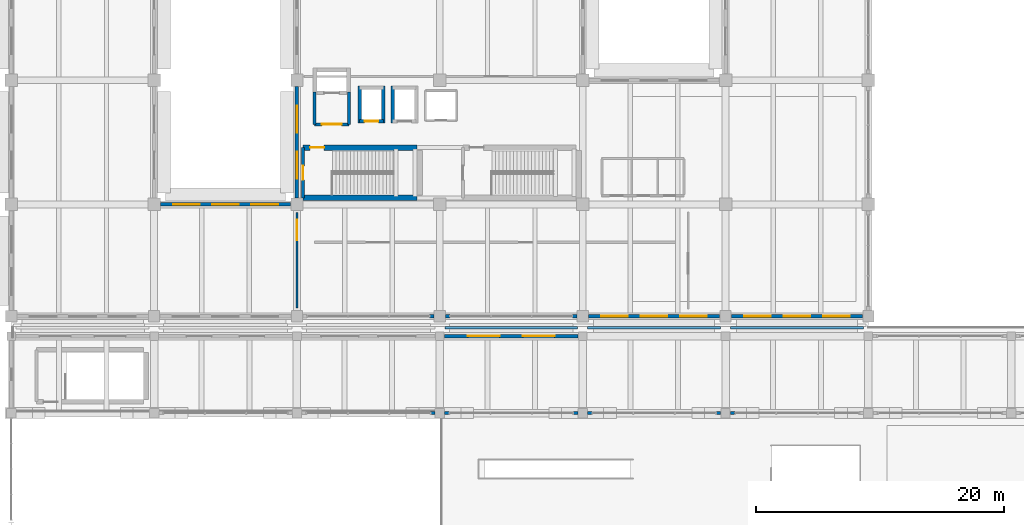
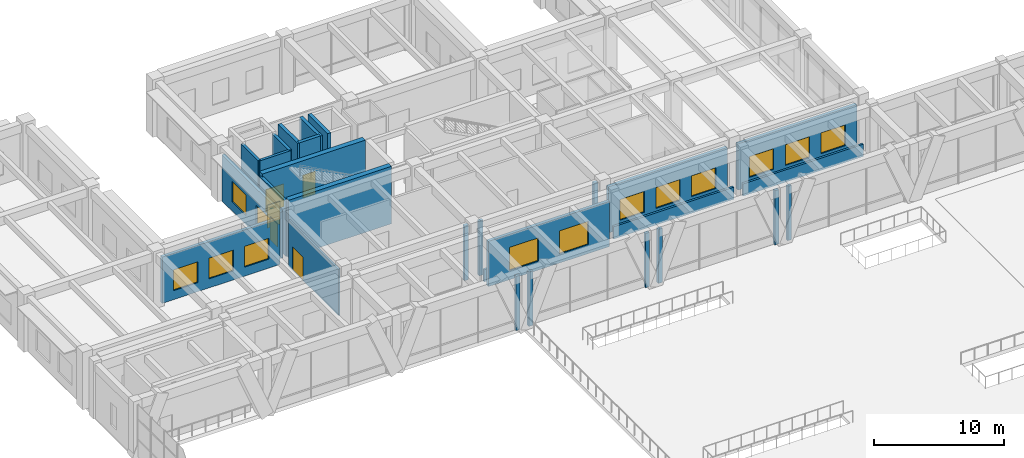
# One storey, part 127 of 148: 28 walls, 13 windows, 5 doors, 18 openings.
"""IFC4 building model written with IfcOpenShell, lengths in metres."""

import ifcopenshell
import ifcopenshell.guid

model = None  # the IFC model being written
_history = None  # IfcOwnerHistory: only IFC2X3 demands one
_inside = {}  # id of a spatial element -> (the spatial element, [elements in it])
_under = {}  # id of a project, library or spatial element -> (it, [spatial elements below it])
_declared = {}  # id of a project -> (the project, [libraries it declares])
_typed = {}  # id of a type object -> (the type object, [elements of that type])
_made_of = {}  # id of a material, layer set ... -> (it, [elements and type objects made of it])


def new_model(schema):
    """Start an empty IFC model of exactly this schema.

    Asked for "IFC4X3", IfcOpenShell would pick the latest addendum, in which some entities
    have other attributes; the version numbers below select the first issue.
    IFC2X3 requires an IfcOwnerHistory on every rooted entity: one is made here for all.
    """
    global model, _history
    if schema == "IFC4X3":
        model = ifcopenshell.file(schema_version=(4, 3, 0, 0))
    else:
        model = ifcopenshell.file(schema=schema)
    _inside.clear()
    _under.clear()
    _declared.clear()
    _typed.clear()
    _made_of.clear()
    _history = None
    if model.schema == "IFC2X3":
        org = make("IfcOrganization", Name="unknown")
        user = make(
            "IfcPersonAndOrganization",
            ThePerson=make("IfcPerson", FamilyName="unknown"),
            TheOrganization=org,
        )
        app = make(
            "IfcApplication",
            ApplicationDeveloper=org,
            Version="unknown",
            ApplicationFullName="unknown",
            ApplicationIdentifier="unknown",
        )
        _history = make(
            "IfcOwnerHistory",
            OwningUser=user,
            OwningApplication=app,
            ChangeAction="ADDED",
            CreationDate=0,
        )
    return model


def make(cls, **values):
    """One entity of the class cls with the attributes given. An attribute that is None is left unset."""
    return model.create_entity(
        cls, **{name: value for name, value in values.items() if value is not None}
    )


def rooted(cls, **values):
    """An entity with a GlobalId (a new one), such as an element, a storey or a relation."""
    return make(cls, GlobalId=ifcopenshell.guid.new(), OwnerHistory=_history, **values)


def si_unit(unit_type, name, prefix=None):
    """IfcSIUnit, for example si_unit("LENGTHUNIT", "METRE", prefix="MILLI")."""
    return make("IfcSIUnit", UnitType=unit_type, Prefix=prefix, Name=name)


def assignment(units):
    """IfcUnitAssignment: the units of a project."""
    return None if units is None else make("IfcUnitAssignment", Units=units)


def point(xyz):
    """IfcCartesianPoint."""
    return None if xyz is None else make("IfcCartesianPoint", Coordinates=xyz)


def direction(xyz):
    """IfcDirection."""
    return None if xyz is None else make("IfcDirection", DirectionRatios=xyz)


def frame(location, z_axis=None, x_axis=None):
    """IfcAxis2Placement3D, a coordinate frame: its origin and axes. An axis left out is left unset."""
    return make(
        "IfcAxis2Placement3D",
        Location=point(location),
        Axis=direction(z_axis),
        RefDirection=direction(x_axis),
    )


def frame_2d(location, x_axis=None):
    """IfcAxis2Placement2D, a coordinate frame in the plane: its origin and x axis."""
    return make(
        "IfcAxis2Placement2D", Location=point(location), RefDirection=direction(x_axis)
    )


def origin():
    """The frame at (0, 0, 0) with its axes left unset."""
    return frame((0.0, 0.0, 0.0))


def place(relative_to, where):
    """IfcLocalPlacement: puts the frame where relative to a parent placement (None: the world)."""
    return make(
        "IfcLocalPlacement", PlacementRelTo=relative_to, RelativePlacement=where
    )


def context(
    kind, dimensions, precision=None, world=None, true_north=None, identifier=None
):
    """IfcGeometricRepresentationContext, for example the 3D "Model" context."""
    return make(
        "IfcGeometricRepresentationContext",
        ContextIdentifier=identifier,
        ContextType=kind,
        CoordinateSpaceDimension=dimensions,
        Precision=precision,
        WorldCoordinateSystem=world,
        TrueNorth=true_north,
    )


def subcontext(parent, identifier, kind, view, scale=None):
    """IfcGeometricRepresentationSubContext, for example "Body" below "Model"."""
    return make(
        "IfcGeometricRepresentationSubContext",
        ContextIdentifier=identifier,
        ContextType=kind,
        ParentContext=parent,
        TargetScale=scale,
        TargetView=view,
    )


def project(units=None, contexts=None):
    """IfcProject with its units and contexts."""
    return rooted(
        "IfcProject",
        Name="project",
        RepresentationContexts=contexts,
        UnitsInContext=assignment(units),
    )


def spatial(cls, under=None, at=None, **own):
    """A site, building, storey or space (cls), placed at a placement, below another one or the project."""
    s = rooted(cls, ObjectPlacement=at, **own)
    if under is not None:
        _under.setdefault(under.id(), (under, []))[1].append(s)
    return s


def profile(cls, at=None, kind="AREA", **sizes):
    """A parametric profile (cls). Its sizes go by their IFC names, for example OverallWidth=200.0."""
    return make(cls, ProfileType=kind, Position=at, **sizes)


def rectangle(**sizes):
    """IfcRectangleProfileDef."""
    return profile("IfcRectangleProfileDef", **sizes)


def extrude(swept, where, along, depth):
    """IfcExtrudedAreaSolid: the profile swept, set in the frame where, extruded along a direction by depth."""
    return make(
        "IfcExtrudedAreaSolid",
        SweptArea=swept,
        Position=where,
        ExtrudedDirection=direction(along),
        Depth=depth,
    )


def shape(context_of_items, identifier, shape_type, items):
    """IfcShapeRepresentation: the items that make up one representation, for example the "Body"."""
    return make(
        "IfcShapeRepresentation",
        ContextOfItems=context_of_items,
        RepresentationIdentifier=identifier,
        RepresentationType=shape_type,
        Items=items,
    )


def material(Name=None, Category=None):
    """IfcMaterial."""
    return make("IfcMaterial", Name=Name, Category=Category)


def layer(
    of_material, thickness, ventilated=None, Name=None, Category=None, Priority=None
):
    """IfcMaterialLayer: one layer of a wall or slab, of a material (None: an air gap)."""
    return make(
        "IfcMaterialLayer",
        Material=of_material,
        LayerThickness=thickness,
        IsVentilated=ventilated,
        Name=Name,
        Category=Category,
        Priority=Priority,
    )


def layer_set(layers, Name=None):
    """IfcMaterialLayerSet."""
    return make("IfcMaterialLayerSet", MaterialLayers=layers, LayerSetName=Name)


def made_of(thing, what):
    """Note that an element or type object is made of a material, layer set ...; save() writes the relation."""
    if what is not None:
        _made_of.setdefault(what.id(), (what, []))[1].append(thing)
    return thing


def type_object(cls, material=None, **own):
    """A type object (cls), such as IfcWallType, which elements share."""
    return made_of(rooted(cls, **own), material)


def element(
    cls,
    number,
    at=None,
    inside=None,
    cuts=None,
    type_object=None,
    material=None,
    context=None,
    identifier="Body",
    shape_type=None,
    held_by="IfcProductDefinitionShape",
    body=None,
    shapes=None,
    **own,
):
    """One element of the class cls, such as IfcWall. Its Tag is "e" and its number.

    at: its placement. inside: the storey or other place that contains it. cuts: it is an
    opening in that element (IfcRelVoidsElement). A single representation is given by context,
    identifier, shape_type and body (its items); several are given by shapes. held_by: the class
    of the entity that holds the representations. save() writes the other relations.
    """
    e = rooted(cls, Tag="e%d" % number, ObjectPlacement=at, **own)
    if body is not None:
        shapes = [shape(context, identifier, shape_type, body)]
    if shapes is not None:
        e.Representation = make(held_by, Representations=shapes)
    if inside is not None:
        _inside.setdefault(inside.id(), (inside, []))[1].append(e)
    if cuts is not None:
        rooted(
            "IfcRelVoidsElement", RelatingBuildingElement=cuts, RelatedOpeningElement=e
        )
    if type_object is not None:
        _typed.setdefault(type_object.id(), (type_object, []))[1].append(e)
    return made_of(e, material)


def fill(opening, filler):
    """IfcRelFillsElement: the door or window that sits in an opening."""
    return rooted(
        "IfcRelFillsElement",
        RelatingOpeningElement=opening,
        RelatedBuildingElement=filler,
    )


def aggregate(whole, parts):
    """IfcRelAggregates: a whole, such as a stair, and the parts it consists of."""
    return rooted("IfcRelAggregates", RelatingObject=whole, RelatedObjects=parts)


def save(model, path):
    """Write the relations noted so far, then the file.

    IfcRelAggregates (storeys below a building ...), IfcRelContainedInSpatialStructure (elements
    in a storey), IfcRelDefinesByType, IfcRelAssociatesMaterial and IfcRelDeclares: one each for
    every whole, place, type object, material and project.
    """
    for whole, parts in _under.values():
        aggregate(whole, parts)
    for where, things in _inside.values():
        rooted(
            "IfcRelContainedInSpatialStructure",
            RelatedElements=things,
            RelatingStructure=where,
        )
    for kind, things in _typed.values():
        rooted("IfcRelDefinesByType", RelatedObjects=things, RelatingType=kind)
    for what, things in _made_of.values():
        rooted("IfcRelAssociatesMaterial", RelatedObjects=things, RelatingMaterial=what)
    for by, libraries in _declared.values():
        rooted("IfcRelDeclares", RelatingContext=by, RelatedDefinitions=libraries)
    model.write(path)


model = new_model("IFC4")

# Units and contexts
model_context = context("Model", 3, precision=1e-05, world=origin(), true_north=direction((0.0, 1.0)))
body_context = subcontext(model_context, "Body", "Model", "MODEL_VIEW")
ifc_project = project(units=[si_unit("LENGTHUNIT", "METRE"), si_unit("AREAUNIT", "SQUARE_METRE"), si_unit("VOLUMEUNIT", "CUBIC_METRE"), si_unit("PLANEANGLEUNIT", "RADIAN"), si_unit("MASSUNIT", "GRAM", prefix="KILO")], contexts=[model_context])

# Site, building, storey
site_placement = place(None, origin())
site = spatial("IfcSite", under=ifc_project, at=site_placement, CompositionType="ELEMENT")
building_placement = place(site_placement, origin())
building = spatial("IfcBuilding", under=site, at=building_placement, Name="Ologun Quay Terminus", CompositionType="ELEMENT")
storey_placement = place(building_placement, frame((0.0, 0.0, 8.39990234375)))
storey = spatial("IfcBuildingStorey", under=building, at=storey_placement, Name="L02", CompositionType="ELEMENT", Elevation=8.39990234375)

# Wall, opening, door
ifc_material_1 = material(Name="Gypsum Acoustic Stud")
ifc_layer_1 = layer(ifc_material_1, 0.14990234375)
ifc_layer_set_1 = layer_set([ifc_layer_1], Name="Gypsum Acoustic Stud")
wall_type_1 = type_object("IfcWallType", Name="Community & Reading Room Partition 150", PredefinedType="PARTITIONING", material=ifc_layer_set_1)
wall_1_placement = place(storey_placement, frame((23.0, 86.449951171875, 0.0), z_axis=(0.0, 0.0, 1.0), x_axis=(0.0, 1.0, 0.0)))
wall_1 = element("IfcWall", 1, at=wall_1_placement, inside=storey, type_object=wall_type_1, Name="PW-05 Partition L02-WorkshopRoom-E", PredefinedType="PARTITIONING", context=body_context, shape_type="SweptSolid", body=[
    extrude(rectangle(XDim=7.699951171875, YDim=0.14990234375, at=frame_2d((3.85009765625, 0.0))), origin(), (0.0, 0.0, 1.0), 4.35009765625),
])
opening_1_placement = place(wall_1_placement, frame((5.449951171875, 0.0, 0.0)))
opening_1 = element("IfcOpeningElement", 2, at=opening_1_placement, cuts=wall_1, Name="Opening ID-317", PredefinedType="OPENING", context=body_context, shape_type="SweptSolid", body=[
    extrude(rectangle(XDim=1.64990234375, YDim=2.199951171875, at=frame_2d((0.824951171875, 1.10009765625))), frame((0.0, 0.0849609375, 0.0), z_axis=(0.0, -1.0, 0.0), x_axis=(1.0, 0.0, 0.0)), (0.0, 0.0, 1.0), 0.169921875),
])
ifc_material_2 = material(Name="Timber Hardwood", Category="wood")
door_type_1 = type_object("IfcDoorType", Name="Community Meeting Double Door 1650x2200", OperationType="DOUBLE_DOOR_SINGLE_SWING", PredefinedType="DOOR", material=ifc_material_2)
door_1_placement = place(opening_1_placement, origin())
door_1 = element("IfcDoor", 3, at=door_1_placement, inside=storey, type_object=door_type_1, Name="ID-03 Door ID-317", OperationType="DOUBLE_DOOR_SINGLE_SWING", OverallHeight=2.199951171875, OverallWidth=1.64990234375, PredefinedType="DOOR", context=body_context, shape_type="SweptSolid", body=[
    extrude(rectangle(XDim=1.64990234375, YDim=2.199951171875, at=frame_2d((0.824951171875, 1.10009765625))), frame((0.0, 0.02490234375, 0.0), z_axis=(0.0, -1.0, 0.0), x_axis=(1.0, 0.0, 0.0)), (0.0, 0.0, 1.0), 0.050048828125),
])
fill(opening_1, door_1)

# Wall
ifc_material_3 = material(Name="Concrete C45/55", Category="concrete")
ifc_layer_2 = layer(ifc_material_3, 0.449951171875)
ifc_layer_set_2 = layer_set([ifc_layer_2], Name="Concrete C45/55")
wall_type_2 = type_object("IfcWallType", Name="Coupled Wing Primary Core Shear Wall 450", PredefinedType="SHEAR", material=ifc_layer_set_2)
wall_2_placement = place(storey_placement, frame((23.5, 95.324951171875, 0.0), z_axis=(0.0, 0.0, 1.0), x_axis=(1.0, 0.0, 0.0)))
element("IfcWall", 4, at=wall_2_placement, inside=storey, type_object=wall_type_2, Name="WC1 Core South Shear Wall L02", PredefinedType="SHEAR", context=body_context, shape_type="SweptSolid", body=[
    extrude(rectangle(XDim=9.14990234375, YDim=0.449951171875, at=frame_2d((4.574951171875, 0.0))), origin(), (0.0, 0.0, 1.0), 5.400146484375),
])

# Wall, opening, door
wall_3_placement = place(storey_placement, frame((23.5, 99.375, 0.0), z_axis=(0.0, 0.0, 1.0), x_axis=(1.0, 0.0, 0.0)))
wall_3 = element("IfcWall", 5, at=wall_3_placement, inside=storey, type_object=wall_type_2, Name="WC1 Core North Shear Wall L02", PredefinedType="SHEAR", context=body_context, shape_type="SweptSolid", body=[
    extrude(rectangle(XDim=9.14990234375, YDim=0.449951171875, at=frame_2d((4.574951171875, 0.0))), origin(), (0.0, 0.0, 1.0), 5.400146484375),
])
opening_2_placement = place(wall_3_placement, frame((0.550048828125, 0.0, 0.0)))
opening_2 = element("IfcOpeningElement", 6, at=opening_2_placement, cuts=wall_3, Name="Opening ID-111", PredefinedType="OPENING", context=body_context, shape_type="SweptSolid", body=[
    extrude(rectangle(XDim=1.1298828125, YDim=2.14990234375, at=frame_2d((0.56494140625, 1.074951171875))), frame((0.0, 0.23486328125, 0.0), z_axis=(0.0, -1.0, 0.0), x_axis=(1.0, 0.0, 0.0)), (0.0, 0.0, 1.0), 0.469970703125),
])
ifc_material_4 = material(Name="Steel S355", Category="steel")
door_type_2 = type_object("IfcDoorType", Name="Stairwell Fire Escape Door 1130x2150", OperationType="SINGLE_SWING_LEFT", PredefinedType="DOOR", material=ifc_material_4)
door_2_placement = place(opening_2_placement, frame((0.56494140625, 0.0, 0.0), z_axis=(0.0, 0.0, 1.0), x_axis=(-1.0, 0.0, 0.0)))
door_2 = element("IfcDoor", 7, at=door_2_placement, inside=storey, type_object=door_type_2, Name="FD-01 Door ID-111", OperationType="SINGLE_SWING_LEFT", OverallHeight=2.14990234375, OverallWidth=1.1298828125, PredefinedType="DOOR", context=body_context, shape_type="SweptSolid", body=[
    extrude(rectangle(XDim=1.1298828125, YDim=2.14990234375, at=frame_2d((0.0, 1.074951171875))), frame((0.0, 0.02490234375, 0.0), z_axis=(0.0, -1.0, 0.0), x_axis=(1.0, 0.0, 0.0)), (0.0, 0.0, 1.0), 0.050048828125),
])
fill(opening_2, door_2)

# Wall, openings, windows
ifc_material_5 = material(Name="Concrete C40/50", Category="concrete")
ifc_layer_3 = layer(ifc_material_5, 0.280029296875)
ifc_layer_set_3 = layer_set([ifc_layer_3], Name="Concrete C40/50")
wall_type_3 = type_object("IfcWallType", Name="Courtyard Wing Spandrel Concrete Wall 280", PredefinedType="SOLIDWALL", material=ifc_layer_set_3)
wall_4_placement = place(storey_placement, frame((34.8701171875, 84.199951171875, 0.0), z_axis=(0.0, 0.0, 1.0), x_axis=(1.0, 0.0, 0.0)))
wall_4 = element("IfcWall", 8, at=wall_4_placement, inside=storey, type_object=wall_type_3, Name="EW-02 Facade Wall WEW-NGW-L02-04", PredefinedType="SOLIDWALL", context=body_context, shape_type="SweptSolid", body=[
    extrude(rectangle(XDim=10.759765625, YDim=0.280029296875, at=frame_2d((5.3798828125, 0.0))), origin(), (0.0, 0.0, 1.0), 4.25),
])
opening_3_placement = place(wall_4_placement, frame((1.8798828125, 0.0, 0.85009765625)))
opening_3 = element("IfcOpeningElement", 9, at=opening_3_placement, cuts=wall_4, Name="Opening WN-130", PredefinedType="OPENING", context=body_context, shape_type="SweptSolid", body=[
    extrude(rectangle(XDim=2.56005859375, YDim=2.179931640625, at=frame_2d((1.280029296875, 1.08984375))), frame((0.0, 0.14990234375, 0.0), z_axis=(0.0, -1.0, 0.0), x_axis=(1.0, 0.0, 0.0)), (0.0, 0.0, 1.0), 0.300048828125),
])
opening_4_placement = place(wall_4_placement, frame((6.320068359375, 0.0, 0.85009765625)))
opening_4 = element("IfcOpeningElement", 10, at=opening_4_placement, cuts=wall_4, Name="Opening WN-131", PredefinedType="OPENING", context=body_context, shape_type="SweptSolid", body=[
    extrude(rectangle(XDim=2.56005859375, YDim=2.179931640625, at=frame_2d((1.280029296875, 1.08984375))), frame((0.0, 0.14990234375, 0.0), z_axis=(0.0, -1.0, 0.0), x_axis=(1.0, 0.0, 0.0)), (0.0, 0.0, 1.0), 0.300048828125),
])
ifc_material_6 = material(Name="Glass", Category="glass")
window_type_1 = type_object("IfcWindowType", Name="Concourse Gallery Panorama 2560x2180", PartitioningType="SINGLE_PANEL", PredefinedType="WINDOW", material=ifc_material_6)
window_1_placement = place(opening_3_placement, origin())
window_1 = element("IfcWindow", 11, at=window_1_placement, inside=storey, type_object=window_type_1, Name="W-42 Window WN-130", OverallHeight=2.179931640625, OverallWidth=2.56005859375, PartitioningType="SINGLE_PANEL", PredefinedType="WINDOW", context=body_context, shape_type="SweptSolid", body=[
    extrude(rectangle(XDim=2.56005859375, YDim=2.179931640625, at=frame_2d((1.280029296875, 1.08984375))), frame((0.0, 0.030029296875, 0.0), z_axis=(0.0, -1.0, 0.0), x_axis=(1.0, 0.0, 0.0)), (0.0, 0.0, 1.0), 0.06005859375),
])
fill(opening_3, window_1)
window_2_placement = place(opening_4_placement, origin())
window_2 = element("IfcWindow", 12, at=window_2_placement, inside=storey, type_object=window_type_1, Name="W-42 Window WN-131", OverallHeight=2.179931640625, OverallWidth=2.56005859375, PartitioningType="SINGLE_PANEL", PredefinedType="WINDOW", context=body_context, shape_type="SweptSolid", body=[
    extrude(rectangle(XDim=2.56005859375, YDim=2.179931640625, at=frame_2d((1.280029296875, 1.08984375))), frame((0.0, 0.030029296875, 0.0), z_axis=(0.0, -1.0, 0.0), x_axis=(1.0, 0.0, 0.0)), (0.0, 0.0, 1.0), 0.06005859375),
])
fill(opening_4, window_2)

# Walls
for number, where, z_axis, x_axis, name in (
    (13, (33.679931640625, 85.800048828125, 0.0), (0.0, 0.0, 1.0), (1.0, 0.0, 0.0), "Curtain Wall Jamb Pier CW-L02-103-J2"),
    (14, (34.969970703125, 85.800048828125, 0.0), (0.0, 0.0, 1.0), (1.0, 0.0, 0.0), "Curtain Wall Jamb Pier CW-L02-104-J1"),
    (15, (45.179931640625, 85.800048828125, 0.0), (0.0, 0.0, 1.0), (1.0, 0.0, 0.0), "Curtain Wall Jamb Pier CW-L02-104-J2"),
):
    element("IfcWall", number, at=place(storey_placement, frame(where, z_axis=z_axis, x_axis=x_axis)), inside=storey, type_object=wall_type_3, Name=name, PredefinedType="SOLIDWALL", context=body_context, shape_type="SweptSolid", body=[
        extrude(rectangle(XDim=0.35009765625, YDim=0.280029296875, at=frame_2d((0.175048828125, 0.0))), origin(), (0.0, 0.0, 1.0), 5.130126953125),
    ])

# Wall, openings, windows
wall_5_placement = place(storey_placement, frame((46.469970703125, 85.800048828125, 0.0), z_axis=(0.0, 0.0, 1.0), x_axis=(1.0, 0.0, 0.0)))
wall_5 = element("IfcWall", 16, at=wall_5_placement, inside=storey, type_object=wall_type_3, Name="EW-02 Facade Wall WEW-WW-O-L02-5", PredefinedType="SOLIDWALL", context=body_context, shape_type="SweptSolid", body=[
    extrude(rectangle(XDim=10.56005859375, YDim=0.280029296875, at=frame_2d((5.280029296875, 0.0))), origin(), (0.0, 0.0, 1.0), 4.35009765625),
])
opening_5_placement = place(wall_5_placement, frame((1.027587890625, 0.0, 0.85009765625)))
opening_5 = element("IfcOpeningElement", 17, at=opening_5_placement, cuts=wall_5, Name="Opening WN-247", PredefinedType="OPENING", context=body_context, shape_type="SweptSolid", body=[
    extrude(rectangle(XDim=2.14990234375, YDim=1.949951171875, at=frame_2d((1.074951171875, 0.97509765625))), frame((0.0, 0.14990234375, 0.0), z_axis=(0.0, -1.0, 0.0), x_axis=(1.0, 0.0, 0.0)), (0.0, 0.0, 1.0), 0.300048828125),
])
opening_6_placement = place(wall_5_placement, frame((4.205078125, 0.0, 0.85009765625)))
opening_6 = element("IfcOpeningElement", 18, at=opening_6_placement, cuts=wall_5, Name="Opening WN-248", PredefinedType="OPENING", context=body_context, shape_type="SweptSolid", body=[
    extrude(rectangle(XDim=2.14990234375, YDim=1.949951171875, at=frame_2d((1.074951171875, 0.97509765625))), frame((0.0, 0.14990234375, 0.0), z_axis=(0.0, -1.0, 0.0), x_axis=(1.0, 0.0, 0.0)), (0.0, 0.0, 1.0), 0.300048828125),
])
opening_7_placement = place(wall_5_placement, frame((7.382568359375, 0.0, 0.85009765625)))
opening_7 = element("IfcOpeningElement", 19, at=opening_7_placement, cuts=wall_5, Name="Opening WN-249", PredefinedType="OPENING", context=body_context, shape_type="SweptSolid", body=[
    extrude(rectangle(XDim=2.14990234375, YDim=1.949951171875, at=frame_2d((1.074951171875, 0.97509765625))), frame((0.0, 0.14990234375, 0.0), z_axis=(0.0, -1.0, 0.0), x_axis=(1.0, 0.0, 0.0)), (0.0, 0.0, 1.0), 0.300048828125),
])
ifc_material_7 = material(Name="Glass", Category="glass")
window_type_2 = type_object("IfcWindowType", Name="Courtyard Loggia Window 2150x1950", PartitioningType="SINGLE_PANEL", PredefinedType="WINDOW", material=ifc_material_7)
window_3_placement = place(opening_5_placement, origin())
window_3 = element("IfcWindow", 20, at=window_3_placement, inside=storey, type_object=window_type_2, Name="W-37 Window WN-247", OverallHeight=1.949951171875, OverallWidth=2.14990234375, PartitioningType="SINGLE_PANEL", PredefinedType="WINDOW", context=body_context, shape_type="SweptSolid", body=[
    extrude(rectangle(XDim=2.14990234375, YDim=1.949951171875, at=frame_2d((1.074951171875, 0.97509765625))), frame((0.0, 0.030029296875, 0.0), z_axis=(0.0, -1.0, 0.0), x_axis=(1.0, 0.0, 0.0)), (0.0, 0.0, 1.0), 0.06005859375),
])
fill(opening_5, window_3)
window_4_placement = place(opening_6_placement, origin())
window_4 = element("IfcWindow", 21, at=window_4_placement, inside=storey, type_object=window_type_2, Name="W-37 Window WN-248", OverallHeight=1.949951171875, OverallWidth=2.14990234375, PartitioningType="SINGLE_PANEL", PredefinedType="WINDOW", context=body_context, shape_type="SweptSolid", body=[
    extrude(rectangle(XDim=2.14990234375, YDim=1.949951171875, at=frame_2d((1.074951171875, 0.97509765625))), frame((0.0, 0.030029296875, 0.0), z_axis=(0.0, -1.0, 0.0), x_axis=(1.0, 0.0, 0.0)), (0.0, 0.0, 1.0), 0.06005859375),
])
fill(opening_6, window_4)
window_5_placement = place(opening_7_placement, origin())
window_5 = element("IfcWindow", 22, at=window_5_placement, inside=storey, type_object=window_type_2, Name="W-37 Window WN-249", OverallHeight=1.949951171875, OverallWidth=2.14990234375, PartitioningType="SINGLE_PANEL", PredefinedType="WINDOW", context=body_context, shape_type="SweptSolid", body=[
    extrude(rectangle(XDim=2.14990234375, YDim=1.949951171875, at=frame_2d((1.074951171875, 0.97509765625))), frame((0.0, 0.030029296875, 0.0), z_axis=(0.0, -1.0, 0.0), x_axis=(1.0, 0.0, 0.0)), (0.0, 0.0, 1.0), 0.06005859375),
])
fill(opening_7, window_5)

wall_6_placement = place(storey_placement, frame((57.969970703125, 85.800048828125, 0.0), z_axis=(0.0, 0.0, 1.0), x_axis=(1.0, 0.0, 0.0)))
wall_6 = element("IfcWall", 23, at=wall_6_placement, inside=storey, type_object=wall_type_3, Name="EW-02 Facade Wall WEW-WW-O-L02-6", PredefinedType="SOLIDWALL", context=body_context, shape_type="SweptSolid", body=[
    extrude(rectangle(XDim=10.56005859375, YDim=0.280029296875, at=frame_2d((5.280029296875, 0.0))), origin(), (0.0, 0.0, 1.0), 4.35009765625),
])
opening_8_placement = place(wall_6_placement, frame((1.027587890625, 0.0, 0.85009765625)))
opening_8 = element("IfcOpeningElement", 24, at=opening_8_placement, cuts=wall_6, Name="Opening WN-250", PredefinedType="OPENING", context=body_context, shape_type="SweptSolid", body=[
    extrude(rectangle(XDim=2.14990234375, YDim=1.949951171875, at=frame_2d((1.074951171875, 0.97509765625))), frame((0.0, 0.14990234375, 0.0), z_axis=(0.0, -1.0, 0.0), x_axis=(1.0, 0.0, 0.0)), (0.0, 0.0, 1.0), 0.300048828125),
])
opening_9_placement = place(wall_6_placement, frame((4.205078125, 0.0, 0.85009765625)))
opening_9 = element("IfcOpeningElement", 25, at=opening_9_placement, cuts=wall_6, Name="Opening WN-251", PredefinedType="OPENING", context=body_context, shape_type="SweptSolid", body=[
    extrude(rectangle(XDim=2.14990234375, YDim=1.949951171875, at=frame_2d((1.074951171875, 0.97509765625))), frame((0.0, 0.14990234375, 0.0), z_axis=(0.0, -1.0, 0.0), x_axis=(1.0, 0.0, 0.0)), (0.0, 0.0, 1.0), 0.300048828125),
])
opening_10_placement = place(wall_6_placement, frame((7.382568359375, 0.0, 0.85009765625)))
opening_10 = element("IfcOpeningElement", 26, at=opening_10_placement, cuts=wall_6, Name="Opening WN-252", PredefinedType="OPENING", context=body_context, shape_type="SweptSolid", body=[
    extrude(rectangle(XDim=2.14990234375, YDim=1.949951171875, at=frame_2d((1.074951171875, 0.97509765625))), frame((0.0, 0.14990234375, 0.0), z_axis=(0.0, -1.0, 0.0), x_axis=(1.0, 0.0, 0.0)), (0.0, 0.0, 1.0), 0.300048828125),
])
window_6_placement = place(opening_8_placement, origin())
window_6 = element("IfcWindow", 27, at=window_6_placement, inside=storey, type_object=window_type_2, Name="W-37 Window WN-250", OverallHeight=1.949951171875, OverallWidth=2.14990234375, PartitioningType="SINGLE_PANEL", PredefinedType="WINDOW", context=body_context, shape_type="SweptSolid", body=[
    extrude(rectangle(XDim=2.14990234375, YDim=1.949951171875, at=frame_2d((1.074951171875, 0.97509765625))), frame((0.0, 0.030029296875, 0.0), z_axis=(0.0, -1.0, 0.0), x_axis=(1.0, 0.0, 0.0)), (0.0, 0.0, 1.0), 0.06005859375),
])
fill(opening_8, window_6)
window_7_placement = place(opening_9_placement, origin())
window_7 = element("IfcWindow", 28, at=window_7_placement, inside=storey, type_object=window_type_2, Name="W-37 Window WN-251", OverallHeight=1.949951171875, OverallWidth=2.14990234375, PartitioningType="SINGLE_PANEL", PredefinedType="WINDOW", context=body_context, shape_type="SweptSolid", body=[
    extrude(rectangle(XDim=2.14990234375, YDim=1.949951171875, at=frame_2d((1.074951171875, 0.97509765625))), frame((0.0, 0.030029296875, 0.0), z_axis=(0.0, -1.0, 0.0), x_axis=(1.0, 0.0, 0.0)), (0.0, 0.0, 1.0), 0.06005859375),
])
fill(opening_9, window_7)
window_8_placement = place(opening_10_placement, origin())
window_8 = element("IfcWindow", 29, at=window_8_placement, inside=storey, type_object=window_type_2, Name="W-37 Window WN-252", OverallHeight=1.949951171875, OverallWidth=2.14990234375, PartitioningType="SINGLE_PANEL", PredefinedType="WINDOW", context=body_context, shape_type="SweptSolid", body=[
    extrude(rectangle(XDim=2.14990234375, YDim=1.949951171875, at=frame_2d((1.074951171875, 0.97509765625))), frame((0.0, 0.030029296875, 0.0), z_axis=(0.0, -1.0, 0.0), x_axis=(1.0, 0.0, 0.0)), (0.0, 0.0, 1.0), 0.06005859375),
])
fill(opening_10, window_8)

wall_7_placement = place(storey_placement, frame((23.0, 95.320068359375, 0.0), z_axis=(0.0, 0.0, 1.0), x_axis=(0.0, 1.0, 0.0)))
wall_7 = element("IfcWall", 30, at=wall_7_placement, inside=storey, type_object=wall_type_3, Name="EW-02 Facade Wall WEW-WW-O-L02-16", PredefinedType="SOLIDWALL", context=body_context, shape_type="SweptSolid", body=[
    extrude(rectangle(XDim=8.9599609375, YDim=0.280029296875, at=frame_2d((4.47998046875, 0.0))), origin(), (0.0, 0.0, 1.0), 4.35009765625),
])
opening_11_placement = place(wall_7_placement, frame((1.55322265625, 0.0, 0.85009765625)))
opening_11 = element("IfcOpeningElement", 31, at=opening_11_placement, cuts=wall_7, Name="Opening WN-266", PredefinedType="OPENING", context=body_context, shape_type="SweptSolid", body=[
    extrude(rectangle(XDim=2.14990234375, YDim=1.949951171875, at=frame_2d((1.074951171875, 0.97509765625))), frame((0.0, 0.14990234375, 0.0), z_axis=(0.0, -1.0, 0.0), x_axis=(1.0, 0.0, 0.0)), (0.0, 0.0, 1.0), 0.300048828125),
])
opening_12_placement = place(wall_7_placement, frame((5.256591796875, 0.0, 0.85009765625)))
opening_12 = element("IfcOpeningElement", 32, at=opening_12_placement, cuts=wall_7, Name="Opening WN-267", PredefinedType="OPENING", context=body_context, shape_type="SweptSolid", body=[
    extrude(rectangle(XDim=2.14990234375, YDim=1.949951171875, at=frame_2d((1.074951171875, 0.97509765625))), frame((0.0, 0.14990234375, 0.0), z_axis=(0.0, -1.0, 0.0), x_axis=(1.0, 0.0, 0.0)), (0.0, 0.0, 1.0), 0.300048828125),
])
window_9_placement = place(opening_11_placement, origin())
window_9 = element("IfcWindow", 33, at=window_9_placement, inside=storey, type_object=window_type_2, Name="W-37 Window WN-266", OverallHeight=1.949951171875, OverallWidth=2.14990234375, PartitioningType="SINGLE_PANEL", PredefinedType="WINDOW", context=body_context, shape_type="SweptSolid", body=[
    extrude(rectangle(XDim=2.14990234375, YDim=1.949951171875, at=frame_2d((1.074951171875, 0.97509765625))), frame((0.0, 0.030029296875, 0.0), z_axis=(0.0, -1.0, 0.0), x_axis=(1.0, 0.0, 0.0)), (0.0, 0.0, 1.0), 0.06005859375),
])
fill(opening_11, window_9)
window_10_placement = place(opening_12_placement, origin())
window_10 = element("IfcWindow", 34, at=window_10_placement, inside=storey, type_object=window_type_2, Name="W-37 Window WN-267", OverallHeight=1.949951171875, OverallWidth=2.14990234375, PartitioningType="SINGLE_PANEL", PredefinedType="WINDOW", context=body_context, shape_type="SweptSolid", body=[
    extrude(rectangle(XDim=2.14990234375, YDim=1.949951171875, at=frame_2d((1.074951171875, 0.97509765625))), frame((0.0, 0.030029296875, 0.0), z_axis=(0.0, -1.0, 0.0), x_axis=(1.0, 0.0, 0.0)), (0.0, 0.0, 1.0), 0.06005859375),
])
fill(opening_12, window_10)

wall_8_placement = place(storey_placement, frame((12.02001953125, 94.800048828125, 0.0), z_axis=(0.0, 0.0, 1.0), x_axis=(1.0, 0.0, 0.0)))
wall_8 = element("IfcWall", 35, at=wall_8_placement, inside=storey, type_object=wall_type_3, Name="EW-02 Facade Wall WEW-WW-O-L02-18", PredefinedType="SOLIDWALL", context=body_context, shape_type="SweptSolid", body=[
    extrude(rectangle(XDim=10.4599609375, YDim=0.280029296875, at=frame_2d((5.22998046875, 0.0))), origin(), (0.0, 0.0, 1.0), 4.35009765625),
])
opening_13_placement = place(wall_8_placement, frame((1.00244140625, 0.0, 0.85009765625)))
opening_13 = element("IfcOpeningElement", 36, at=opening_13_placement, cuts=wall_8, Name="Opening WN-270", PredefinedType="OPENING", context=body_context, shape_type="SweptSolid", body=[
    extrude(rectangle(XDim=2.14990234375, YDim=1.949951171875, at=frame_2d((1.074951171875, 0.97509765625))), frame((0.0, 0.14990234375, 0.0), z_axis=(0.0, -1.0, 0.0), x_axis=(1.0, 0.0, 0.0)), (0.0, 0.0, 1.0), 0.300048828125),
])
opening_14_placement = place(wall_8_placement, frame((4.155029296875, 0.0, 0.85009765625)))
opening_14 = element("IfcOpeningElement", 37, at=opening_14_placement, cuts=wall_8, Name="Opening WN-271", PredefinedType="OPENING", context=body_context, shape_type="SweptSolid", body=[
    extrude(rectangle(XDim=2.14990234375, YDim=1.949951171875, at=frame_2d((1.074951171875, 0.97509765625))), frame((0.0, 0.14990234375, 0.0), z_axis=(0.0, -1.0, 0.0), x_axis=(1.0, 0.0, 0.0)), (0.0, 0.0, 1.0), 0.300048828125),
])
opening_15_placement = place(wall_8_placement, frame((7.3076171875, 0.0, 0.85009765625)))
opening_15 = element("IfcOpeningElement", 38, at=opening_15_placement, cuts=wall_8, Name="Opening WN-272", PredefinedType="OPENING", context=body_context, shape_type="SweptSolid", body=[
    extrude(rectangle(XDim=2.14990234375, YDim=1.949951171875, at=frame_2d((1.074951171875, 0.97509765625))), frame((0.0, 0.14990234375, 0.0), z_axis=(0.0, -1.0, 0.0), x_axis=(1.0, 0.0, 0.0)), (0.0, 0.0, 1.0), 0.300048828125),
])
window_11_placement = place(opening_13_placement, origin())
window_11 = element("IfcWindow", 39, at=window_11_placement, inside=storey, type_object=window_type_2, Name="W-37 Window WN-270", OverallHeight=1.949951171875, OverallWidth=2.14990234375, PartitioningType="SINGLE_PANEL", PredefinedType="WINDOW", context=body_context, shape_type="SweptSolid", body=[
    extrude(rectangle(XDim=2.14990234375, YDim=1.949951171875, at=frame_2d((1.074951171875, 0.97509765625))), frame((0.0, 0.030029296875, 0.0), z_axis=(0.0, -1.0, 0.0), x_axis=(1.0, 0.0, 0.0)), (0.0, 0.0, 1.0), 0.06005859375),
])
fill(opening_13, window_11)
window_12_placement = place(opening_14_placement, origin())
window_12 = element("IfcWindow", 40, at=window_12_placement, inside=storey, type_object=window_type_2, Name="W-37 Window WN-271", OverallHeight=1.949951171875, OverallWidth=2.14990234375, PartitioningType="SINGLE_PANEL", PredefinedType="WINDOW", context=body_context, shape_type="SweptSolid", body=[
    extrude(rectangle(XDim=2.14990234375, YDim=1.949951171875, at=frame_2d((1.074951171875, 0.97509765625))), frame((0.0, 0.030029296875, 0.0), z_axis=(0.0, -1.0, 0.0), x_axis=(1.0, 0.0, 0.0)), (0.0, 0.0, 1.0), 0.06005859375),
])
fill(opening_14, window_12)
window_13_placement = place(opening_15_placement, origin())
window_13 = element("IfcWindow", 41, at=window_13_placement, inside=storey, type_object=window_type_2, Name="W-37 Window WN-272", OverallHeight=1.949951171875, OverallWidth=2.14990234375, PartitioningType="SINGLE_PANEL", PredefinedType="WINDOW", context=body_context, shape_type="SweptSolid", body=[
    extrude(rectangle(XDim=2.14990234375, YDim=1.949951171875, at=frame_2d((1.074951171875, 0.97509765625))), frame((0.0, 0.030029296875, 0.0), z_axis=(0.0, -1.0, 0.0), x_axis=(1.0, 0.0, 0.0)), (0.0, 0.0, 1.0), 0.06005859375),
])
fill(opening_15, window_13)

# Wall, opening, door
ifc_material_8 = material(Name="Concrete C40/50", Category="concrete")
ifc_layer_4 = layer(ifc_material_8, 0.239990234375)
ifc_layer_set_4 = layer_set([ifc_layer_4], Name="Concrete C40/50")
wall_type_4 = type_object("IfcWallType", Name="Fire Compartment Blockwork Wall 240", PredefinedType="SOLIDWALL", material=ifc_layer_set_4)
wall_9_placement = place(storey_placement, frame((23.5, 95.330078125, 0.0), z_axis=(0.0, 0.0, 1.0), x_axis=(0.0, 1.0, 0.0)))
wall_9 = element("IfcWall", 42, at=wall_9_placement, inside=storey, type_object=wall_type_4, Name="PW-01 Partition WStair1-W", PredefinedType="SOLIDWALL", context=body_context, shape_type="SweptSolid", body=[
    extrude(rectangle(XDim=4.0400390625, YDim=0.239990234375, at=frame_2d((2.02001953125, 0.0))), origin(), (0.0, 0.0, 1.0), 5.1201171875),
])
opening_16_placement = place(wall_9_placement, frame((1.449951171875, 0.0, 0.0)))
opening_16 = element("IfcOpeningElement", 43, at=opening_16_placement, cuts=wall_9, Name="Opening ID-110", PredefinedType="OPENING", context=body_context, shape_type="SweptSolid", body=[
    extrude(rectangle(XDim=1.1298828125, YDim=2.14990234375, at=frame_2d((0.56494140625, 1.074951171875))), frame((0.0, 0.1298828125, 0.0), z_axis=(0.0, -1.0, 0.0), x_axis=(1.0, 0.0, 0.0)), (0.0, 0.0, 1.0), 0.260009765625),
])
door_3_placement = place(opening_16_placement, frame((0.56494140625, 0.0, 0.0), z_axis=(0.0, 0.0, 1.0), x_axis=(-1.0, 0.0, 0.0)))
door_3 = element("IfcDoor", 44, at=door_3_placement, inside=storey, type_object=door_type_2, Name="FD-01 Door ID-110", OperationType="SINGLE_SWING_LEFT", OverallHeight=2.14990234375, OverallWidth=1.1298828125, PredefinedType="DOOR", context=body_context, shape_type="SweptSolid", body=[
    extrude(rectangle(XDim=1.1298828125, YDim=2.14990234375, at=frame_2d((0.0, 1.074951171875))), frame((0.0, 0.02490234375, 0.0), z_axis=(0.0, -1.0, 0.0), x_axis=(1.0, 0.0, 0.0)), (0.0, 0.0, 1.0), 0.050048828125),
])
fill(opening_16, door_3)

wall_10_placement = place(storey_placement, frame((24.419921875, 101.25, 0.0), z_axis=(0.0, 0.0, 1.0), x_axis=(1.0, 0.0, 0.0)))
wall_10 = element("IfcWall", 45, at=wall_10_placement, inside=storey, type_object=wall_type_4, Name="PW-01 Partition WFFL-S", PredefinedType="SOLIDWALL", context=body_context, shape_type="SweptSolid", body=[
    extrude(rectangle(XDim=2.760009765625, YDim=0.239990234375, at=frame_2d((1.3798828125, 0.0))), origin(), (0.0, 0.0, 1.0), 5.1201171875),
])
opening_17_placement = place(wall_10_placement, frame((0.580078125, 0.0, 0.0)))
opening_17 = element("IfcOpeningElement", 46, at=opening_17_placement, cuts=wall_10, Name="Opening ID-114", PredefinedType="OPENING", context=body_context, shape_type="SweptSolid", body=[
    extrude(rectangle(XDim=1.60009765625, YDim=2.14990234375, at=frame_2d((0.800048828125, 1.074951171875))), frame((0.0, 0.1298828125, 0.0), z_axis=(0.0, -1.0, 0.0), x_axis=(1.0, 0.0, 0.0)), (0.0, 0.0, 1.0), 0.260009765625),
])
ifc_material_9 = material(Name="Steel S355", Category="steel")
door_type_3 = type_object("IfcDoorType", Name="Firefighting Lobby Double Smoke Door 1600x2150", OperationType="DOUBLE_DOOR_SINGLE_SWING", PredefinedType="DOOR", material=ifc_material_9)
door_4_placement = place(opening_17_placement, origin())
door_4 = element("IfcDoor", 47, at=door_4_placement, inside=storey, type_object=door_type_3, Name="FD-02 Door ID-114", OperationType="DOUBLE_DOOR_SINGLE_SWING", OverallHeight=2.14990234375, OverallWidth=1.60009765625, PredefinedType="DOOR", context=body_context, shape_type="SweptSolid", body=[
    extrude(rectangle(XDim=1.60009765625, YDim=2.14990234375, at=frame_2d((0.800048828125, 1.074951171875))), frame((0.0, 0.02490234375, 0.0), z_axis=(0.0, -1.0, 0.0), x_axis=(1.0, 0.0, 0.0)), (0.0, 0.0, 1.0), 0.050048828125),
])
fill(opening_17, door_4)

# Walls
for number, where, z_axis, x_axis, name in (
    (48, (24.419921875, 101.25, 0.0), (0.0, 0.0, 1.0), (0.0, 1.0, 0.0), "PW-01 Partition WFFL-W"),
    (49, (27.179931640625, 101.25, 0.0), (0.0, 0.0, 1.0), (0.0, 1.0, 0.0), "PW-01 Partition WFFL-E"),
):
    element("IfcWall", number, at=place(storey_placement, frame(where, z_axis=z_axis, x_axis=x_axis)), inside=storey, type_object=wall_type_4, Name=name, PredefinedType="SOLIDWALL", context=body_context, shape_type="SweptSolid", body=[
        extrude(rectangle(XDim=2.60009765625, YDim=0.239990234375, at=frame_2d((1.300048828125, 0.0))), origin(), (0.0, 0.0, 1.0), 5.1201171875),
    ])

# Wall, opening, door
ifc_material_10 = material(Name="Concrete C40/50", Category="concrete")
ifc_layer_5 = layer(ifc_material_10, 0.300048828125)
ifc_layer_set_5 = layer_set([ifc_layer_5], Name="Concrete C40/50")
wall_type_5 = type_object("IfcWallType", Name="Lift Shaft Structural Shear Wall 300", PredefinedType="SHEAR", material=ifc_layer_set_5)
wall_11_placement = place(storey_placement, frame((28.050048828125, 101.5, 0.0), z_axis=(0.0, 0.0, 1.0), x_axis=(1.0, 0.0, 0.0)))
wall_11 = element("IfcWall", 50, at=wall_11_placement, inside=storey, type_object=wall_type_5, Name="Lift PL-W1 Shaft Wall S L02", PredefinedType="SHEAR", context=body_context, shape_type="SweptSolid", body=[
    extrude(rectangle(XDim=1.89990234375, YDim=0.300048828125, at=frame_2d((0.949951171875, 0.0))), origin(), (0.0, 0.0, 1.0), 5.400146484375),
])
opening_18_placement = place(wall_11_placement, frame((0.39990234375, 0.0, 0.0)))
opening_18 = element("IfcOpeningElement", 51, at=opening_18_placement, cuts=wall_11, Name="Opening ID-020", PredefinedType="OPENING", context=body_context, shape_type="SweptSolid", body=[
    extrude(rectangle(XDim=1.10009765625, YDim=2.14990234375, at=frame_2d((0.550048828125, 1.074951171875))), frame((0.0, 0.16015625, 0.0), z_axis=(0.0, -1.0, 0.0), x_axis=(1.0, 0.0, 0.0)), (0.0, 0.0, 1.0), 0.320068359375),
])
ifc_material_11 = material(Name="Steel S355", Category="steel")
door_type_4 = type_object("IfcDoorType", Name="Lift Landing Sliding Door 1100x2150", OperationType="SLIDING_TO_LEFT", PredefinedType="DOOR", material=ifc_material_11)
door_5_placement = place(opening_18_placement, origin())
door_5 = element("IfcDoor", 52, at=door_5_placement, inside=storey, type_object=door_type_4, Name="LD-01 Door ID-020", OperationType="SLIDING_TO_LEFT", OverallHeight=2.14990234375, OverallWidth=1.10009765625, PredefinedType="DOOR", context=body_context, shape_type="SweptSolid", body=[
    extrude(rectangle(XDim=1.10009765625, YDim=2.14990234375, at=frame_2d((0.550048828125, 1.074951171875))), frame((0.0, 0.02490234375, 0.0), z_axis=(0.0, -1.0, 0.0), x_axis=(1.0, 0.0, 0.0)), (0.0, 0.0, 1.0), 0.050048828125),
])
fill(opening_18, door_5)

# Walls
for number, where, z_axis, x_axis, name in (
    (53, (28.050048828125, 101.35009765625, 0.0), (0.0, 0.0, 1.0), (0.0, 1.0, 0.0), "Lift PL-W1 Shaft Wall W L02"),
    (54, (29.949951171875, 101.35009765625, 0.0), (0.0, 0.0, 1.0), (0.0, 1.0, 0.0), "Lift PL-W1 Shaft Wall E L02"),
    (55, (30.699951171875, 101.35009765625, 0.0), (0.0, 0.0, 1.0), (0.0, 1.0, 0.0), "Lift PL-W2 Shaft Wall W L02"),
):
    element("IfcWall", number, at=place(storey_placement, frame(where, z_axis=z_axis, x_axis=x_axis)), inside=storey, type_object=wall_type_5, Name=name, PredefinedType="SHEAR", context=body_context, shape_type="SweptSolid", body=[
        extrude(rectangle(XDim=3.0, YDim=0.300048828125, at=frame_2d((1.5, 0.0))), origin(), (0.0, 0.0, 1.0), 5.400146484375),
    ])
ifc_material_12 = material(Name="Concrete C40/50", Category="concrete")
ifc_layer_6 = layer(ifc_material_12, 0.18994140625)
ifc_layer_set_6 = layer_set([ifc_layer_6], Name="Concrete C40/50")
wall_type_6 = type_object("IfcWallType", Name="Movement Joint Weathering Upstand 190", PredefinedType="PARAPET", material=ifc_layer_set_6)
for number, where, z_axis, x_axis, name in (
    (56, (34.89990234375, 84.860107421875, 0.0), (0.0, 0.0, 1.0), (1.0, 0.0, 0.0), "EW-07 Movement Joint Upstand L02-4"),
    (57, (46.39990234375, 84.860107421875, 0.0), (0.0, 0.0, 1.0), (1.0, 0.0, 0.0), "EW-07 Movement Joint Upstand L02-5"),
    (58, (57.89990234375, 84.860107421875, 0.0), (0.0, 0.0, 1.0), (1.0, 0.0, 0.0), "EW-07 Movement Joint Upstand L02-6"),
):
    element("IfcWall", number, at=place(storey_placement, frame(where, z_axis=z_axis, x_axis=x_axis)), inside=storey, type_object=wall_type_6, Name=name, PredefinedType="PARAPET", context=body_context, shape_type="SweptSolid", body=[
        extrude(rectangle(XDim=10.7001953125, YDim=0.18994140625, at=frame_2d((5.35009765625, 0.0))), origin(), (0.0, 0.0, 1.0), 1.150146484375),
    ])
ifc_material_13 = material(Name="Concrete C40/50", Category="concrete")
ifc_layer_7 = layer(ifc_material_13, 0.260009765625)
ifc_layer_set_7 = layer_set([ifc_layer_7], Name="Concrete C40/50")
wall_type_7 = type_object("IfcWallType", Name="Train Shed Clerestory Upstand Wall 260", PredefinedType="SOLIDWALL", material=ifc_layer_set_7)
for number, where, z_axis, x_axis, name in (
    (59, (33.7548828125, 78.0, 0.0), (0.0, 0.0, 1.0), (1.0, 0.0, 0.0), "Curtain Wall Jamb Pier CW-L02-049-J2"),
    (60, (34.89501953125, 78.0, 0.0), (0.0, 0.0, 1.0), (1.0, 0.0, 0.0), "Curtain Wall Jamb Pier CW-L02-051-J1"),
    (61, (45.2548828125, 78.0, 0.0), (0.0, 0.0, 1.0), (1.0, 0.0, 0.0), "Curtain Wall Jamb Pier CW-L02-051-J2"),
    (62, (46.39501953125, 78.0, 0.0), (0.0, 0.0, 1.0), (1.0, 0.0, 0.0), "Curtain Wall Jamb Pier CW-L02-053-J1"),
    (63, (56.7548828125, 78.0, 0.0), (0.0, 0.0, 1.0), (1.0, 0.0, 0.0), "Curtain Wall Jamb Pier CW-L02-053-J2"),
    (64, (57.89501953125, 78.0, 0.0), (0.0, 0.0, 1.0), (1.0, 0.0, 0.0), "Curtain Wall Jamb Pier CW-L02-055-J1"),
):
    element("IfcWall", number, at=place(storey_placement, frame(where, z_axis=z_axis, x_axis=x_axis)), inside=storey, type_object=wall_type_7, Name=name, PredefinedType="SOLIDWALL", context=body_context, shape_type="SweptSolid", body=[
        extrude(rectangle(XDim=0.35009765625, YDim=0.260009765625, at=frame_2d((0.175048828125, 0.0))), origin(), (0.0, 0.0, 1.0), 5.10009765625),
    ])

save(model, "model.ifc")
